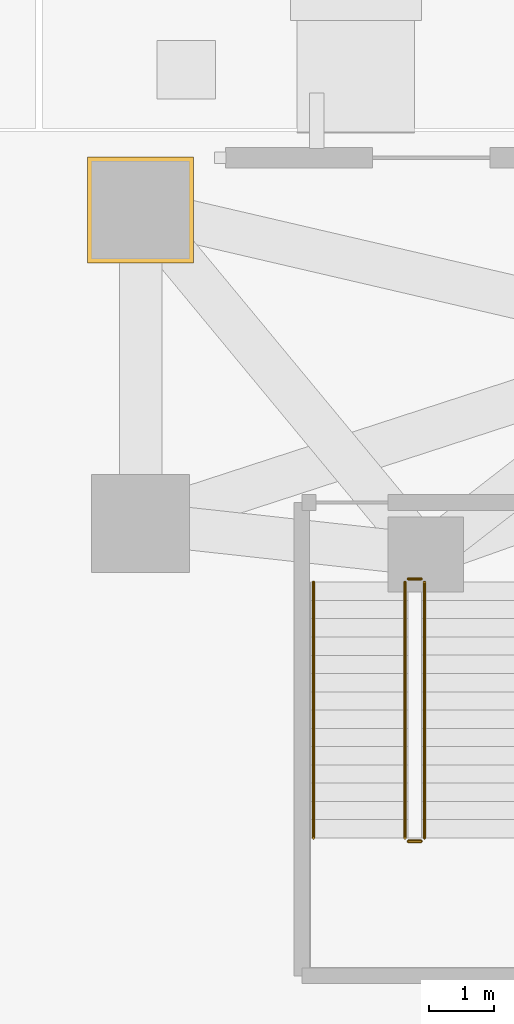
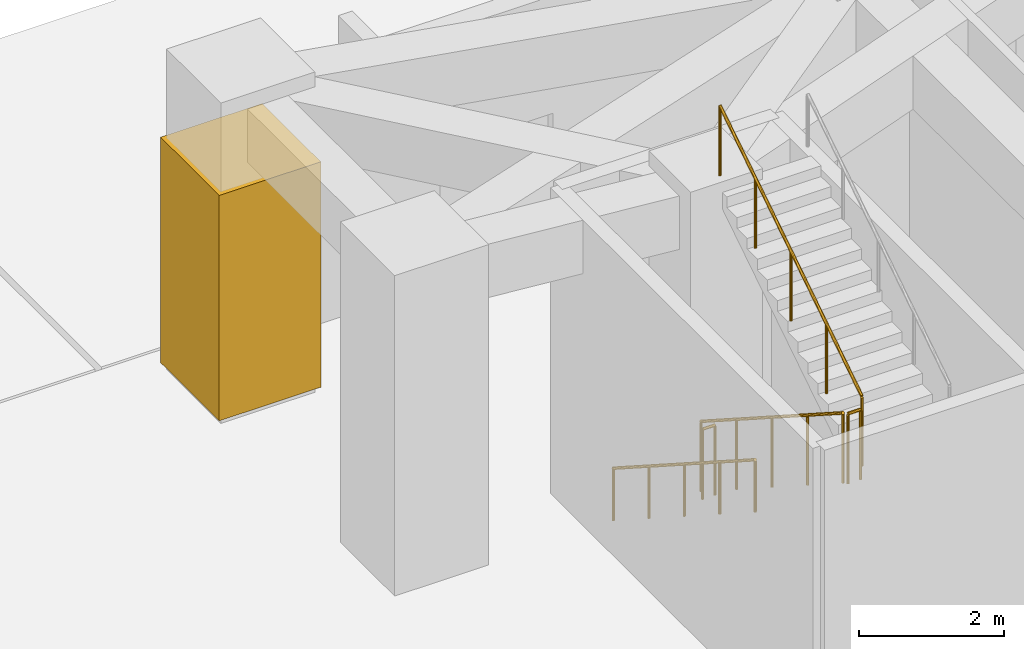
# One storey, part 17 of 19: 5 railings, 1 covering.
"""IFC4 building model written with IfcOpenShell, lengths in metres."""

from ifc_helpers import new_model, si_unit, direction, frame, origin, origin_2d, place, context, subcontext, project, spatial, rectangle, circle, extrude, material, layer, layer_set, type_object, element, save


model = new_model("IFC4")

# Units and contexts
model_context = context("Model", 3, precision=1e-05, world=origin(), true_north=direction((0.0, 1.0)))
body_context = subcontext(model_context, "Body", "Model", "MODEL_VIEW")
ifc_project = project(units=[si_unit("LENGTHUNIT", "METRE"), si_unit("AREAUNIT", "SQUARE_METRE"), si_unit("VOLUMEUNIT", "CUBIC_METRE"), si_unit("PLANEANGLEUNIT", "RADIAN"), si_unit("MASSUNIT", "GRAM", prefix="KILO")], contexts=[model_context])

# Site, building, storey
site_placement = place(None, origin())
site = spatial("IfcSite", under=ifc_project, at=site_placement, CompositionType="ELEMENT")
building_placement = place(site_placement, origin())
building = spatial("IfcBuilding", under=site, at=building_placement, Name="Gaonmaruhae Medical Tower", CompositionType="ELEMENT")
storey_placement = place(building_placement, origin())
storey = spatial("IfcBuildingStorey", under=building, at=storey_placement, Name="L00", CompositionType="ELEMENT", Elevation=0.0)

# Covering
ifc_material_1 = material(Name="Architectural precast column cladding", Category="concrete")
ifc_layer = layer(ifc_material_1, 0.06005859375)
ifc_layer_set = layer_set([ifc_layer], Name="Architectural precast column cladding")
covering_type = type_object("IfcCoveringType", Name="CLD-01 Architectural Precast Pier Cladding", PredefinedType="CLADDING", material=ifc_layer_set)
covering_placement = place(storey_placement, frame((57.60009765625, 29.199951171875, 0.10009765625), z_axis=(0.0, 0.0, 1.0), x_axis=(1.0, 0.0, 0.0)))
element("IfcCovering", 1, at=covering_placement, inside=storey, type_object=covering_type, Name="L00 Architectural Precast Column Cladding 4", PredefinedType="CLADDING", context=body_context, shape_type="SweptSolid", body=[
    extrude(rectangle(XDim=1.6201171875, YDim=1.6201171875, at=origin_2d()), origin(), (0.0, 0.0, 1.0), 3.800048828125),
])

# Railings
ifc_material_2 = material(Name="Stainless steel 304 handrail", Category="steel")
railing_type_1 = type_object("IfcRailingType", Name="HR-092 Continuous Stainless Steel Stair Handrail", PredefinedType="HANDRAIL", material=ifc_material_2)
railing_1_placement = place(storey_placement, frame((60.25, 23.5, 0.179931640625)))
element("IfcRailing", 2, at=railing_1_placement, inside=storey, type_object=railing_type_1, Name="L00 ST-04 stair handrail 1", PredefinedType="HANDRAIL", context=body_context, shape_type="SweptSolid", body=[
    extrude(circle(Radius=0.02392578125, at=origin_2d()), frame((0.0, 0.0, 0.8759765625), z_axis=(0.0, -0.841171666519, 0.540768182723), x_axis=(1.0, 0.0, 0.0)), (0.0, 0.0, 1.0), 4.66015625),
    extrude(circle(Radius=0.02099609375, at=origin_2d()), origin(), (0.0, 0.0, 1.0), 0.851806640625),
    extrude(circle(Radius=0.02099609375, at=origin_2d()), frame((0.0, -0.97998046875, 0.6298828125)), (0.0, 0.0, 1.0), 0.851806640625),
    extrude(circle(Radius=0.02099609375, at=origin_2d()), frame((0.0, -1.9599609375, 1.260009765625)), (0.0, 0.0, 1.0), 0.851806640625),
    extrude(circle(Radius=0.02099609375, at=origin_2d()), frame((0.0, -2.93994140625, 1.89013671875)), (0.0, 0.0, 1.0), 0.851806640625),
    extrude(circle(Radius=0.02099609375, at=origin_2d()), frame((0.0, -3.919921875, 2.52001953125)), (0.0, 0.0, 1.0), 0.851806640625),
])
ifc_material_3 = material(Name="Stainless steel 304 balustrade", Category="steel")
railing_type_2 = type_object("IfcRailingType", Name="SG-112 Stair Well & Ramp Void Safety Balustrade", PredefinedType="BALUSTRADE", material=ifc_material_3)
railing_2_placement = place(storey_placement, frame((61.64990234375, 23.5, 0.179931640625)))
element("IfcRailing", 3, at=railing_2_placement, inside=storey, type_object=railing_type_2, Name="L00 ST-04 stair guard 1", PredefinedType="BALUSTRADE", context=body_context, shape_type="SweptSolid", body=[
    extrude(circle(Radius=0.02392578125, at=origin_2d()), frame((0.0, 0.0, 1.17578125), z_axis=(0.0, -0.841171666519, 0.540768182723), x_axis=(1.0, 0.0, 0.0)), (0.0, 0.0, 1.0), 4.66015625),
    extrude(circle(Radius=0.02099609375, at=origin_2d()), origin(), (0.0, 0.0, 1.0), 1.15185546875),
    extrude(circle(Radius=0.02099609375, at=origin_2d()), frame((0.0, -0.97998046875, 0.6298828125)), (0.0, 0.0, 1.0), 1.15185546875),
    extrude(circle(Radius=0.02099609375, at=origin_2d()), frame((0.0, -1.9599609375, 1.260009765625)), (0.0, 0.0, 1.0), 1.15185546875),
    extrude(circle(Radius=0.02099609375, at=origin_2d()), frame((0.0, -2.93994140625, 1.89013671875)), (0.0, 0.0, 1.0), 1.15185546875),
    extrude(circle(Radius=0.02099609375, at=origin_2d()), frame((0.0, -3.919921875, 2.52001953125)), (0.0, 0.0, 1.0), 1.15185546875),
])
railing_3_placement = place(storey_placement, frame((61.699951171875, 19.530029296875, 2.699951171875)))
element("IfcRailing", 4, at=railing_3_placement, inside=storey, type_object=railing_type_2, Name="L00 ST-04 stair guard 2", PredefinedType="BALUSTRADE", context=body_context, shape_type="SweptSolid", body=[
    extrude(circle(Radius=0.02392578125, at=origin_2d()), frame((0.0, 0.0, 1.17578125), z_axis=(1.0, 0.0, 0.0), x_axis=(0.0, 1.0, 0.0)), (0.0, 0.0, 1.0), 0.199951171875),
    extrude(circle(Radius=0.02099609375, at=origin_2d()), origin(), (0.0, 0.0, 1.0), 1.15185546875),
    extrude(circle(Radius=0.02099609375, at=origin_2d()), frame((0.199951171875, 0.0, 0.0)), (0.0, 0.0, 1.0), 1.15185546875),
])
railing_4_placement = place(storey_placement, frame((61.949951171875, 19.580078125, 2.8798828125)))
element("IfcRailing", 5, at=railing_4_placement, inside=storey, type_object=railing_type_2, Name="L00 ST-04 stair guard 3", PredefinedType="BALUSTRADE", context=body_context, shape_type="SweptSolid", body=[
    extrude(circle(Radius=0.02392578125, at=origin_2d()), frame((0.0, 0.0, 1.17578125), z_axis=(0.0, 0.841171666519, 0.540768182723), x_axis=(-1.0, 0.0, 0.0)), (0.0, 0.0, 1.0), 4.66015625),
    extrude(circle(Radius=0.02099609375, at=origin_2d()), origin(), (0.0, 0.0, 1.0), 1.15185546875),
    extrude(circle(Radius=0.02099609375, at=origin_2d()), frame((0.0, 0.97998046875, 0.6298828125)), (0.0, 0.0, 1.0), 1.15185546875),
    extrude(circle(Radius=0.02099609375, at=origin_2d()), frame((0.0, 1.9599609375, 1.260009765625)), (0.0, 0.0, 1.0), 1.15185546875),
    extrude(circle(Radius=0.02099609375, at=origin_2d()), frame((0.0, 2.93994140625, 1.89013671875)), (0.0, 0.0, 1.0), 1.15185546875),
    extrude(circle(Radius=0.02099609375, at=origin_2d()), frame((0.0, 3.919921875, 2.52001953125)), (0.0, 0.0, 1.0), 1.15185546875),
])
railing_5_placement = place(storey_placement, frame((61.699951171875, 23.550048828125, 0.0)))
element("IfcRailing", 6, at=railing_5_placement, inside=storey, type_object=railing_type_2, Name="L00 ST-04 stair guard 4", PredefinedType="BALUSTRADE", context=body_context, shape_type="SweptSolid", body=[
    extrude(circle(Radius=0.02392578125, at=origin_2d()), frame((0.0, 0.0, 1.17578125), z_axis=(1.0, 0.0, 0.0), x_axis=(0.0, 1.0, 0.0)), (0.0, 0.0, 1.0), 0.199951171875),
    extrude(circle(Radius=0.02099609375, at=origin_2d()), origin(), (0.0, 0.0, 1.0), 1.15185546875),
    extrude(circle(Radius=0.02099609375, at=origin_2d()), frame((0.199951171875, 0.0, 0.0)), (0.0, 0.0, 1.0), 1.15185546875),
])

save(model, "model.ifc")
